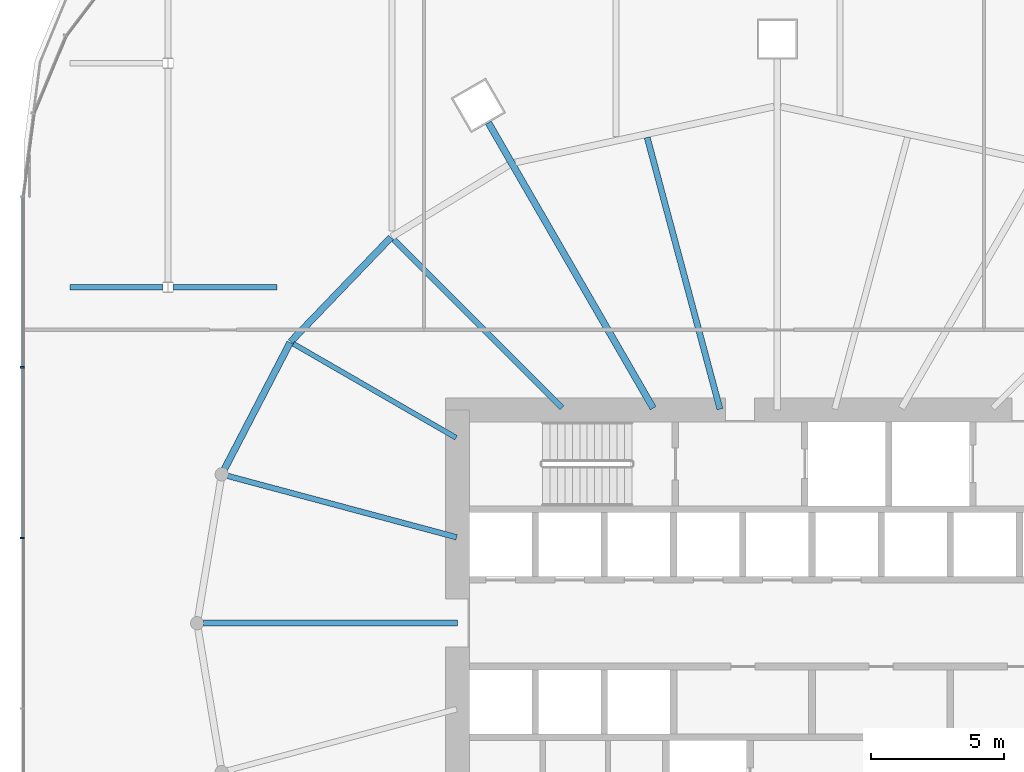
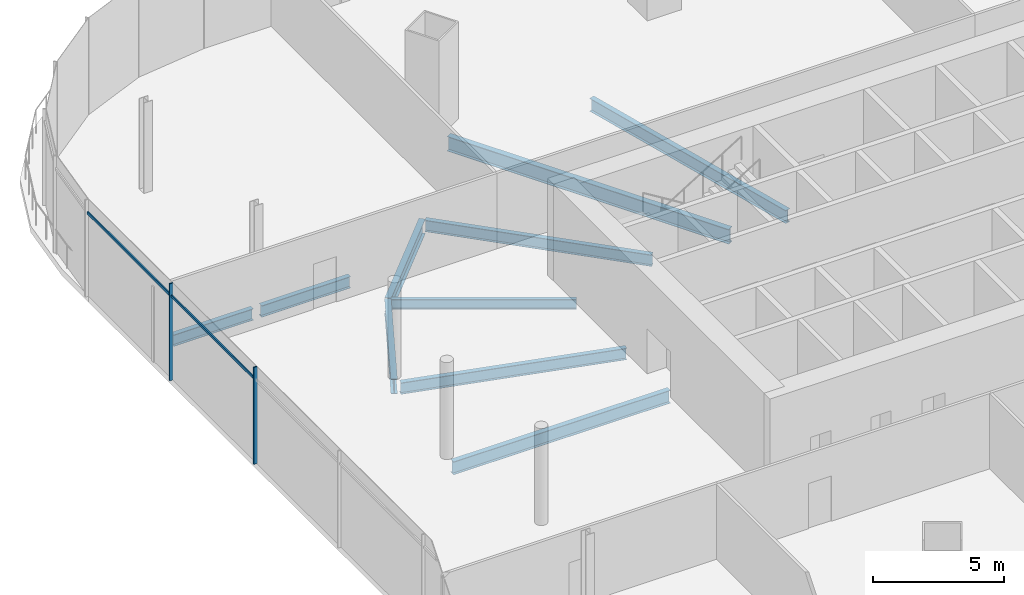
# One storey, part 15 of 52: 10 beams, 4 members, 1 element without a shape of its own.
"""IFC4 building model written with IfcOpenShell, lengths in metres."""

import ifcopenshell
import ifcopenshell.guid

model = None  # the IFC model being written
_history = None  # IfcOwnerHistory: only IFC2X3 demands one
_inside = {}  # id of a spatial element -> (the spatial element, [elements in it])
_under = {}  # id of a project, library or spatial element -> (it, [spatial elements below it])
_declared = {}  # id of a project -> (the project, [libraries it declares])
_typed = {}  # id of a type object -> (the type object, [elements of that type])
_made_of = {}  # id of a material, layer set ... -> (it, [elements and type objects made of it])


def new_model(schema):
    """Start an empty IFC model of exactly this schema.

    Asked for "IFC4X3", IfcOpenShell would pick the latest addendum, in which some entities
    have other attributes; the version numbers below select the first issue.
    IFC2X3 requires an IfcOwnerHistory on every rooted entity: one is made here for all.
    """
    global model, _history
    if schema == "IFC4X3":
        model = ifcopenshell.file(schema_version=(4, 3, 0, 0))
    else:
        model = ifcopenshell.file(schema=schema)
    _inside.clear()
    _under.clear()
    _declared.clear()
    _typed.clear()
    _made_of.clear()
    _history = None
    if model.schema == "IFC2X3":
        org = make("IfcOrganization", Name="unknown")
        user = make(
            "IfcPersonAndOrganization",
            ThePerson=make("IfcPerson", FamilyName="unknown"),
            TheOrganization=org,
        )
        app = make(
            "IfcApplication",
            ApplicationDeveloper=org,
            Version="unknown",
            ApplicationFullName="unknown",
            ApplicationIdentifier="unknown",
        )
        _history = make(
            "IfcOwnerHistory",
            OwningUser=user,
            OwningApplication=app,
            ChangeAction="ADDED",
            CreationDate=0,
        )
    return model


def make(cls, **values):
    """One entity of the class cls with the attributes given. An attribute that is None is left unset."""
    return model.create_entity(
        cls, **{name: value for name, value in values.items() if value is not None}
    )


def rooted(cls, **values):
    """An entity with a GlobalId (a new one), such as an element, a storey or a relation."""
    return make(cls, GlobalId=ifcopenshell.guid.new(), OwnerHistory=_history, **values)


def si_unit(unit_type, name, prefix=None):
    """IfcSIUnit, for example si_unit("LENGTHUNIT", "METRE", prefix="MILLI")."""
    return make("IfcSIUnit", UnitType=unit_type, Prefix=prefix, Name=name)


def assignment(units):
    """IfcUnitAssignment: the units of a project."""
    return None if units is None else make("IfcUnitAssignment", Units=units)


def point(xyz):
    """IfcCartesianPoint."""
    return None if xyz is None else make("IfcCartesianPoint", Coordinates=xyz)


def direction(xyz):
    """IfcDirection."""
    return None if xyz is None else make("IfcDirection", DirectionRatios=xyz)


def frame(location, z_axis=None, x_axis=None):
    """IfcAxis2Placement3D, a coordinate frame: its origin and axes. An axis left out is left unset."""
    return make(
        "IfcAxis2Placement3D",
        Location=point(location),
        Axis=direction(z_axis),
        RefDirection=direction(x_axis),
    )


def frame_2d(location, x_axis=None):
    """IfcAxis2Placement2D, a coordinate frame in the plane: its origin and x axis."""
    return make(
        "IfcAxis2Placement2D", Location=point(location), RefDirection=direction(x_axis)
    )


def origin():
    """The frame at (0, 0, 0) with its axes left unset."""
    return frame((0.0, 0.0, 0.0))


def origin_2d():
    """The frame at (0, 0) in the plane with its x axis left unset."""
    return frame_2d((0.0, 0.0))


def place(relative_to, where):
    """IfcLocalPlacement: puts the frame where relative to a parent placement (None: the world)."""
    return make(
        "IfcLocalPlacement", PlacementRelTo=relative_to, RelativePlacement=where
    )


def context(
    kind, dimensions, precision=None, world=None, true_north=None, identifier=None
):
    """IfcGeometricRepresentationContext, for example the 3D "Model" context."""
    return make(
        "IfcGeometricRepresentationContext",
        ContextIdentifier=identifier,
        ContextType=kind,
        CoordinateSpaceDimension=dimensions,
        Precision=precision,
        WorldCoordinateSystem=world,
        TrueNorth=true_north,
    )


def subcontext(parent, identifier, kind, view, scale=None):
    """IfcGeometricRepresentationSubContext, for example "Body" below "Model"."""
    return make(
        "IfcGeometricRepresentationSubContext",
        ContextIdentifier=identifier,
        ContextType=kind,
        ParentContext=parent,
        TargetScale=scale,
        TargetView=view,
    )


def project(units=None, contexts=None):
    """IfcProject with its units and contexts."""
    return rooted(
        "IfcProject",
        Name="project",
        RepresentationContexts=contexts,
        UnitsInContext=assignment(units),
    )


def spatial(cls, under=None, at=None, **own):
    """A site, building, storey or space (cls), placed at a placement, below another one or the project."""
    s = rooted(cls, ObjectPlacement=at, **own)
    if under is not None:
        _under.setdefault(under.id(), (under, []))[1].append(s)
    return s


def profile(cls, at=None, kind="AREA", **sizes):
    """A parametric profile (cls). Its sizes go by their IFC names, for example OverallWidth=200.0."""
    return make(cls, ProfileType=kind, Position=at, **sizes)


def rectangle(**sizes):
    """IfcRectangleProfileDef."""
    return profile("IfcRectangleProfileDef", **sizes)


def i_section(**sizes):
    """IfcIShapeProfileDef."""
    return profile("IfcIShapeProfileDef", **sizes)


def extrude(swept, where, along, depth):
    """IfcExtrudedAreaSolid: the profile swept, set in the frame where, extruded along a direction by depth."""
    return make(
        "IfcExtrudedAreaSolid",
        SweptArea=swept,
        Position=where,
        ExtrudedDirection=direction(along),
        Depth=depth,
    )


def shape(context_of_items, identifier, shape_type, items):
    """IfcShapeRepresentation: the items that make up one representation, for example the "Body"."""
    return make(
        "IfcShapeRepresentation",
        ContextOfItems=context_of_items,
        RepresentationIdentifier=identifier,
        RepresentationType=shape_type,
        Items=items,
    )


def material(Name=None, Category=None):
    """IfcMaterial."""
    return make("IfcMaterial", Name=Name, Category=Category)


def material_profile(
    of_material, cross_section, Name=None, Category=None, Priority=None
):
    """IfcMaterialProfile: a cross section and its material."""
    return make(
        "IfcMaterialProfile",
        Name=Name,
        Material=of_material,
        Profile=cross_section,
        Priority=Priority,
        Category=Category,
    )


def profile_set(profiles, Name=None, composite=None):
    """IfcMaterialProfileSet."""
    return make(
        "IfcMaterialProfileSet",
        Name=Name,
        MaterialProfiles=profiles,
        CompositeProfile=composite,
    )


def made_of(thing, what):
    """Note that an element or type object is made of a material, layer set ...; save() writes the relation."""
    if what is not None:
        _made_of.setdefault(what.id(), (what, []))[1].append(thing)
    return thing


def type_object(cls, material=None, **own):
    """A type object (cls), such as IfcWallType, which elements share."""
    return made_of(rooted(cls, **own), material)


def element(
    cls,
    number,
    at=None,
    inside=None,
    cuts=None,
    type_object=None,
    material=None,
    context=None,
    identifier="Body",
    shape_type=None,
    held_by="IfcProductDefinitionShape",
    body=None,
    shapes=None,
    **own,
):
    """One element of the class cls, such as IfcWall. Its Tag is "e" and its number.

    at: its placement. inside: the storey or other place that contains it. cuts: it is an
    opening in that element (IfcRelVoidsElement). A single representation is given by context,
    identifier, shape_type and body (its items); several are given by shapes. held_by: the class
    of the entity that holds the representations. save() writes the other relations.
    """
    e = rooted(cls, Tag="e%d" % number, ObjectPlacement=at, **own)
    if body is not None:
        shapes = [shape(context, identifier, shape_type, body)]
    if shapes is not None:
        e.Representation = make(held_by, Representations=shapes)
    if inside is not None:
        _inside.setdefault(inside.id(), (inside, []))[1].append(e)
    if cuts is not None:
        rooted(
            "IfcRelVoidsElement", RelatingBuildingElement=cuts, RelatedOpeningElement=e
        )
    if type_object is not None:
        _typed.setdefault(type_object.id(), (type_object, []))[1].append(e)
    return made_of(e, material)


def aggregate(whole, parts):
    """IfcRelAggregates: a whole, such as a stair, and the parts it consists of."""
    return rooted("IfcRelAggregates", RelatingObject=whole, RelatedObjects=parts)


def save(model, path):
    """Write the relations noted so far, then the file.

    IfcRelAggregates (storeys below a building ...), IfcRelContainedInSpatialStructure (elements
    in a storey), IfcRelDefinesByType, IfcRelAssociatesMaterial and IfcRelDeclares: one each for
    every whole, place, type object, material and project.
    """
    for whole, parts in _under.values():
        aggregate(whole, parts)
    for where, things in _inside.values():
        rooted(
            "IfcRelContainedInSpatialStructure",
            RelatedElements=things,
            RelatingStructure=where,
        )
    for kind, things in _typed.values():
        rooted("IfcRelDefinesByType", RelatedObjects=things, RelatingType=kind)
    for what, things in _made_of.values():
        rooted("IfcRelAssociatesMaterial", RelatedObjects=things, RelatingMaterial=what)
    for by, libraries in _declared.values():
        rooted("IfcRelDeclares", RelatingContext=by, RelatedDefinitions=libraries)
    model.write(path)


model = new_model("IFC4")

# Units and contexts
model_context = context("Model", 3, precision=1e-05, world=origin(), true_north=direction((0.0, 1.0)))
body_context = subcontext(model_context, "Body", "Model", "MODEL_VIEW")
ifc_project = project(units=[si_unit("LENGTHUNIT", "METRE"), si_unit("AREAUNIT", "SQUARE_METRE"), si_unit("VOLUMEUNIT", "CUBIC_METRE"), si_unit("PLANEANGLEUNIT", "RADIAN"), si_unit("MASSUNIT", "GRAM", prefix="KILO")], contexts=[model_context])

# Site, building, storey
site_placement = place(None, origin())
site = spatial("IfcSite", under=ifc_project, at=site_placement, CompositionType="ELEMENT")
building_placement = place(site_placement, origin())
building = spatial("IfcBuilding", under=site, at=building_placement, Name="Rimbun Link Towers", CompositionType="ELEMENT")
storey_placement = place(building_placement, frame((0.0, 0.0, 21.0)))
storey = spatial("IfcBuildingStorey", under=building, at=storey_placement, Name="L04", CompositionType="ELEMENT", Elevation=21.0)

# Curtain wall, members
ifc_material_1 = material(Name="Aluminium 6063-T6 and low-iron glass", Category="aluminium")
curtain_wall_type = type_object("IfcCurtainWallType", Name="CW3 podium shopfront", PredefinedType="NOTDEFINED", material=ifc_material_1)
curtain_wall_placement = place(storey_placement, origin())
curtain_wall = element("IfcCurtainWall", 1, at=curtain_wall_placement, inside=storey, type_object=curtain_wall_type, Name="CW3 L04 PD", PredefinedType="NOTDEFINED")
ifc_material_2 = material(Name="Aluminium 6063-T6", Category="aluminium")
ifc_material_profile_1 = material_profile(ifc_material_2, rectangle(XDim=0.14990234375, YDim=0.06005859375, at=origin_2d()), Name="MULLION 60X150")
ifc_profile_set_1 = profile_set([ifc_material_profile_1], Name="Aluminium 6063-T6")
member_type_1 = type_object("IfcMemberType", Name="CW3 mullion 60X150", PredefinedType="MULLION", material=ifc_profile_set_1)
member_1_placement = place(storey_placement, frame((-60.074951171875, 9.60009765625, 0.0), z_axis=(0.0, 0.0, 1.0), x_axis=(-1.0, 0.0, 0.0)))
member_1 = element("IfcMember", 2, at=member_1_placement, type_object=member_type_1, Name="CW3 mullion", PredefinedType="MULLION", context=body_context, shape_type="SweptSolid", body=[
    extrude(rectangle(XDim=0.14990234375, YDim=0.06005859375, at=origin_2d()), origin(), (0.0, 0.0, 1.0), 4.5),
])
member_2_placement = place(storey_placement, frame((-60.074951171875, 3.199951171875, 0.0), z_axis=(0.0, 0.0, 1.0), x_axis=(-1.0, 0.0, 0.0)))
member_2 = element("IfcMember", 3, at=member_2_placement, type_object=member_type_1, Name="CW3 mullion", PredefinedType="MULLION", context=body_context, shape_type="SweptSolid", body=[
    extrude(rectangle(XDim=0.14990234375, YDim=0.06005859375, at=origin_2d()), origin(), (0.0, 0.0, 1.0), 4.5),
])
ifc_material_3 = material(Name="Aluminium 6063-T6", Category="aluminium")
ifc_material_profile_2 = material_profile(ifc_material_3, rectangle(XDim=0.06005859375, YDim=0.1201171875, at=origin_2d()), Name="TRANSOM 60X120")
ifc_profile_set_2 = profile_set([ifc_material_profile_2], Name="Aluminium 6063-T6")
member_type_2 = type_object("IfcMemberType", Name="CW3 transom 60X120", PredefinedType="USERDEFINED", material=ifc_profile_set_2)
member_3_placement = place(storey_placement, frame((-60.053955078125, 9.6298828125, 3.89990234375), z_axis=(0.0, 1.0, 0.0), x_axis=(-1.0, 0.0, 0.0)))
member_3 = element("IfcMember", 4, at=member_3_placement, type_object=member_type_2, Name="CW3 transom", ObjectType="TRANSOM", PredefinedType="USERDEFINED", context=body_context, shape_type="SweptSolid", body=[
    extrude(rectangle(XDim=0.06005859375, YDim=0.1201171875, at=origin_2d()), origin(), (0.0, 0.0, 1.0), 6.340087890625),
])
member_4_placement = place(storey_placement, frame((-60.053955078125, 3.22998046875, 3.89990234375), z_axis=(0.0, 1.0, 0.0), x_axis=(-1.0, 0.0, 0.0)))
member_4 = element("IfcMember", 5, at=member_4_placement, type_object=member_type_2, Name="CW3 transom", ObjectType="TRANSOM", PredefinedType="USERDEFINED", context=body_context, shape_type="SweptSolid", body=[
    extrude(rectangle(XDim=0.06005859375, YDim=0.1201171875, at=origin_2d()), origin(), (0.0, 0.0, 1.0), 6.340087890625),
])
aggregate(curtain_wall, [member_1, member_2, member_3, member_4])

# Beams
ifc_material_4 = material(Name="Steel S355J2", Category="steel")
ifc_material_profile_3 = material_profile(ifc_material_4, i_section(OverallWidth=0.18994140625, OverallDepth=0.453369140625, WebThickness=0.008544921875, FlangeThickness=0.0126953125, at=origin_2d()), Name="UB 457x191x67")
ifc_profile_set_3 = profile_set([ifc_material_profile_3], Name="Steel S355J2")
beam_type_1 = type_object("IfcBeamType", Name="UB 457x191x67", PredefinedType="BEAM", material=ifc_profile_set_3)
beam_1_placement = place(storey_placement, frame((-43.79833984375, 6.9560546875, -0.526611328125), z_axis=(-0.866023453068, 0.500003378725, 0.0), x_axis=(-0.500003378725, -0.866023453068, 0.0)))
element("IfcBeam", 6, at=beam_1_placement, inside=storey, type_object=beam_type_1, Name="Radial beam T1 L04 10", PredefinedType="BEAM", context=body_context, shape_type="SweptSolid", body=[
    extrude(i_section(OverallWidth=0.18994140625, OverallDepth=0.453369140625, WebThickness=0.008544921875, FlangeThickness=0.0126953125, at=origin_2d()), origin(), (0.0, 0.0, 1.0), 7.04638671875),
])
ifc_material_5 = material(Name="Steel S355J2", Category="steel")
ifc_material_profile_4 = material_profile(ifc_material_5, i_section(OverallWidth=0.209228515625, OverallDepth=0.533203125, WebThickness=0.010009765625, FlangeThickness=0.015625, at=origin_2d()), Name="UB 533x210x92")
ifc_profile_set_4 = profile_set([ifc_material_profile_4], Name="Steel S355J2")
beam_type_2 = type_object("IfcBeamType", Name="UB 533x210x92", PredefinedType="BEAM", material=ifc_profile_set_4)
beam_2_placement = place(storey_placement, frame((-39.82470703125, 8.07470703125, -0.56640625), z_axis=(-0.707106781187, 0.707106781187, 0.0), x_axis=(-0.707106781187, -0.707106781187, 0.0)))
element("IfcBeam", 7, at=beam_2_placement, inside=storey, type_object=beam_type_2, Name="Radial beam T1 L04 09", PredefinedType="BEAM", context=body_context, shape_type="SweptSolid", body=[
    extrude(i_section(OverallWidth=0.209228515625, OverallDepth=0.533203125, WebThickness=0.010009765625, FlangeThickness=0.015625, at=origin_2d()), origin(), (0.0, 0.0, 1.0), 8.9287109375),
])
beam_3_placement = place(storey_placement, frame((-43.778076171875, 3.222900390625, -0.56640625), z_axis=(-0.965921441409, 0.258835409145, 0.0), x_axis=(-0.258835409145, -0.965921441409, 0.0)))
element("IfcBeam", 8, at=beam_3_placement, inside=storey, type_object=beam_type_2, Name="Radial beam T1 L04 11", PredefinedType="BEAM", context=body_context, shape_type="SweptSolid", body=[
    extrude(i_section(OverallWidth=0.209228515625, OverallDepth=0.533203125, WebThickness=0.010009765625, FlangeThickness=0.015625, at=origin_2d()), origin(), (0.0, 0.0, 1.0), 8.88720703125),
])
beam_4_placement = place(storey_placement, frame((-58.285400390625, 12.60009765625, -0.56640625), z_axis=(1.0, 0.0, 0.0), x_axis=(0.0, 1.0, 0.0)))
element("IfcBeam", 9, at=beam_4_placement, inside=storey, type_object=beam_type_2, Name="Grid beam L04 +12.6", PredefinedType="BEAM", context=body_context, shape_type="SweptSolid", body=[
    extrude(i_section(OverallWidth=0.209228515625, OverallDepth=0.533203125, WebThickness=0.010009765625, FlangeThickness=0.015625, at=origin_2d()), origin(), (0.0, 0.0, 1.0), 3.5),
])
beam_5_placement = place(storey_placement, frame((-54.414794921875, 12.60009765625, -0.56640625), z_axis=(1.0, 0.0, 0.0), x_axis=(0.0, 1.0, 0.0)))
element("IfcBeam", 10, at=beam_5_placement, inside=storey, type_object=beam_type_2, Name="Grid beam L04 +12.6", PredefinedType="BEAM", context=body_context, shape_type="SweptSolid", body=[
    extrude(i_section(OverallWidth=0.209228515625, OverallDepth=0.533203125, WebThickness=0.010009765625, FlangeThickness=0.015625, at=origin_2d()), origin(), (0.0, 0.0, 1.0), 3.900146484375),
])
ifc_material_6 = material(Name="Steel S355J2", Category="steel")
ifc_material_profile_5 = material_profile(ifc_material_6, i_section(OverallWidth=0.2275390625, OverallDepth=0.6025390625, WebThickness=0.010498046875, FlangeThickness=0.014892578125, at=origin_2d()), Name="UB 610x229x101")
ifc_profile_set_5 = profile_set([ifc_material_profile_5], Name="Steel S355J2")
beam_type_3 = type_object("IfcBeamType", Name="UB 610x229x101", PredefinedType="BEAM", material=ifc_profile_set_5)
beam_6_placement = place(storey_placement, frame((-33.901611328125, 8.030517578125, -0.601318359375), z_axis=(-0.258844096103, 0.965919113545, 0.0), x_axis=(-0.965919113545, -0.258844096103, 0.0)))
element("IfcBeam", 11, at=beam_6_placement, inside=storey, type_object=beam_type_3, Name="Radial beam T1 L04 07", PredefinedType="BEAM", context=body_context, shape_type="SweptSolid", body=[
    extrude(i_section(OverallWidth=0.2275390625, OverallDepth=0.6025390625, WebThickness=0.010498046875, FlangeThickness=0.014892578125, at=origin_2d()), origin(), (0.0, 0.0, 1.0), 10.544921875),
])
beam_7_placement = place(storey_placement, frame((-43.7509765625, 0.0, -0.601318359375), z_axis=(-1.0, 0.0, 0.0), x_axis=(0.0, -1.0, 0.0)))
element("IfcBeam", 12, at=beam_7_placement, inside=storey, type_object=beam_type_3, Name="Radial beam T1 L04 12", PredefinedType="BEAM", context=body_context, shape_type="SweptSolid", body=[
    extrude(i_section(OverallWidth=0.2275390625, OverallDepth=0.6025390625, WebThickness=0.010498046875, FlangeThickness=0.014892578125, at=origin_2d()), origin(), (0.0, 0.0, 1.0), 9.5263671875),
])
ifc_material_7 = material(Name="Steel S355J2", Category="steel")
ifc_material_profile_6 = material_profile(ifc_material_7, i_section(OverallWidth=0.253662109375, OverallDepth=0.68359375, WebThickness=0.012451171875, FlangeThickness=0.01904296875, at=origin_2d()), Name="UB 686x254x140")
ifc_profile_set_6 = profile_set([ifc_material_profile_6], Name="Steel S355J2")
beam_type_4 = type_object("IfcBeamType", Name="UB 686x254x140", PredefinedType="BEAM", material=ifc_profile_set_6)
beam_8_placement = place(storey_placement, frame((-36.406005859375, 8.064208984375, -0.641845703125), z_axis=(-0.499992594562, 0.866029679274, 0.0), x_axis=(-0.866029679274, -0.499992594562, 0.0)))
element("IfcBeam", 13, at=beam_8_placement, inside=storey, type_object=beam_type_4, Name="Radial beam T1 L04 08", PredefinedType="BEAM", context=body_context, shape_type="SweptSolid", body=[
    extrude(i_section(OverallWidth=0.253662109375, OverallDepth=0.68359375, WebThickness=0.012451171875, FlangeThickness=0.01904296875, at=origin_2d()), origin(), (0.0, 0.0, 1.0), 12.360595703125),
])
beam_9_placement = place(storey_placement, frame((-46.240966796875, 14.466552734375, -0.641845703125), z_axis=(-0.692988130851, -0.720948992995, 0.0), x_axis=(0.720948992995, -0.692988130851, 0.0)))
element("IfcBeam", 14, at=beam_9_placement, inside=storey, type_object=beam_type_4, Name="Edge beam T1 L04 09", PredefinedType="BEAM", context=body_context, shape_type="SweptSolid", body=[
    extrude(i_section(OverallWidth=0.253662109375, OverallDepth=0.68359375, WebThickness=0.012451171875, FlangeThickness=0.01904296875, at=origin_2d()), origin(), (0.0, 0.0, 1.0), 5.42236328125),
])
beam_10_placement = place(storey_placement, frame((-50.020751953125, 10.5263671875, -0.641845703125), z_axis=(-0.460708800711, -0.887551351161, 0.0), x_axis=(0.887551351161, -0.460708800711, 0.0)))
element("IfcBeam", 15, at=beam_10_placement, inside=storey, type_object=beam_type_4, Name="Edge beam T1 L04 10", PredefinedType="BEAM", context=body_context, shape_type="SweptSolid", body=[
    extrude(i_section(OverallWidth=0.253662109375, OverallDepth=0.68359375, WebThickness=0.012451171875, FlangeThickness=0.01904296875, at=origin_2d()), origin(), (0.0, 0.0, 1.0), 5.34912109375),
])

save(model, "model.ifc")
